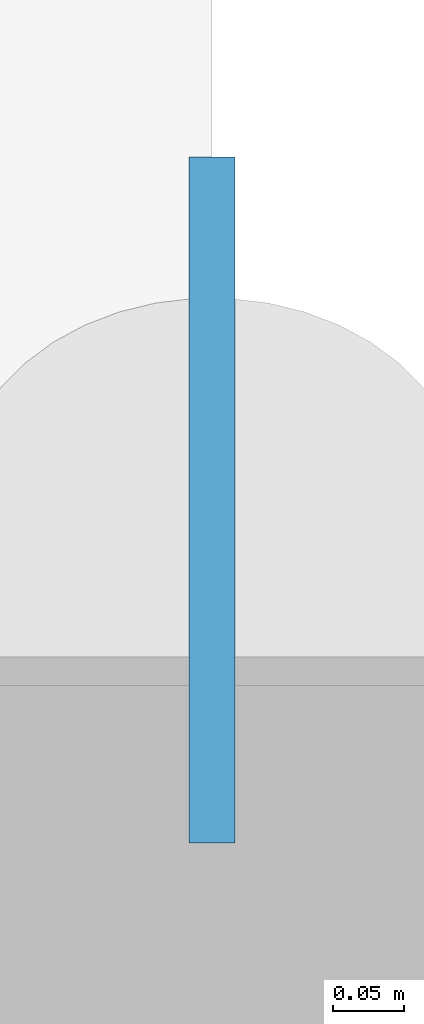
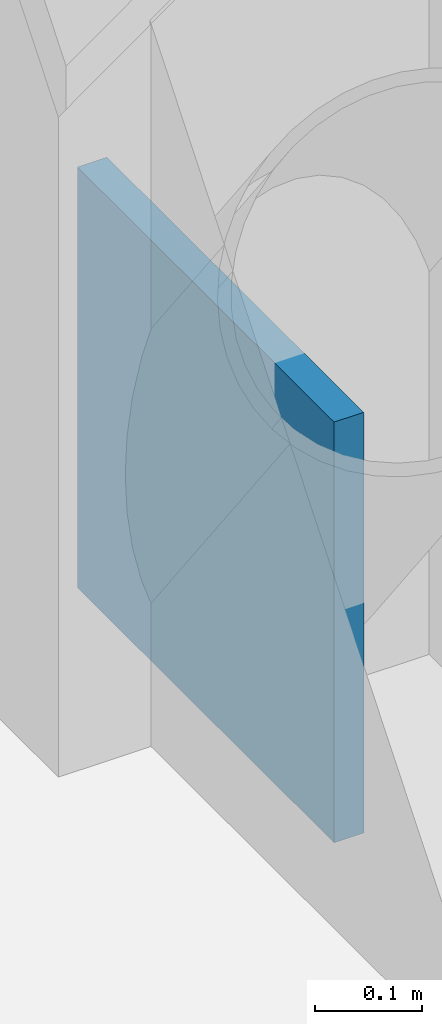
# One storey, part 84 of 137: 1 plate.
"""IFC4 building model written with IfcOpenShell, lengths in metres."""

from ifc_helpers import new_model, si_unit, direction, frame, origin, origin_2d, place, context, subcontext, project, spatial, rectangle, extrude, material, layer, layer_set, type_object, element, save


model = new_model("IFC4")

# Units and contexts
model_context = context("Model", 3, precision=1e-05, world=origin(), true_north=direction((0.0, 1.0)))
body_context = subcontext(model_context, "Body", "Model", "MODEL_VIEW")
ifc_project = project(units=[si_unit("LENGTHUNIT", "METRE"), si_unit("AREAUNIT", "SQUARE_METRE"), si_unit("VOLUMEUNIT", "CUBIC_METRE"), si_unit("PLANEANGLEUNIT", "RADIAN"), si_unit("MASSUNIT", "GRAM", prefix="KILO")], contexts=[model_context])

# Site, building, storey
site_placement = place(None, origin())
site = spatial("IfcSite", under=ifc_project, at=site_placement, CompositionType="ELEMENT")
building_placement = place(site_placement, origin())
building = spatial("IfcBuilding", under=site, at=building_placement, Name="Celestram Park Convention Centre", CompositionType="ELEMENT")
storey_placement = place(building_placement, origin())
storey = spatial("IfcBuildingStorey", under=building, at=storey_placement, Name="L00", CompositionType="ELEMENT", Elevation=0.0)

# Plate
ifc_material = material(Name="Steel ASTM A572 Grade 50", Category="steel")
ifc_layer = layer(ifc_material, 0.031982421875)
ifc_layer_set = layer_set([ifc_layer], Name="Steel ASTM A572 Grade 50")
plate_type = type_object("IfcPlateType", Name="STR-PLT-GP32", PredefinedType="USERDEFINED", material=ifc_layer_set)
plate_placement = place(storey_placement, frame((216.0, 129.47998046875, -0.090087890625), z_axis=(0.0, 0.0, 1.0), x_axis=(0.0, 1.0, 0.0)))
element("IfcPlate", 1, at=plate_placement, inside=storey, type_object=plate_type, Name="Chevron brace base gusset GP-L00-522", ObjectType="GUSSET_PLATE", PredefinedType="USERDEFINED", context=body_context, shape_type="SweptSolid", body=[
    extrude(rectangle(XDim=0.47998046875, YDim=0.031982421875, at=origin_2d()), origin(), (0.0, 0.0, 1.0), 0.47998046875),
])

save(model, "model.ifc")
